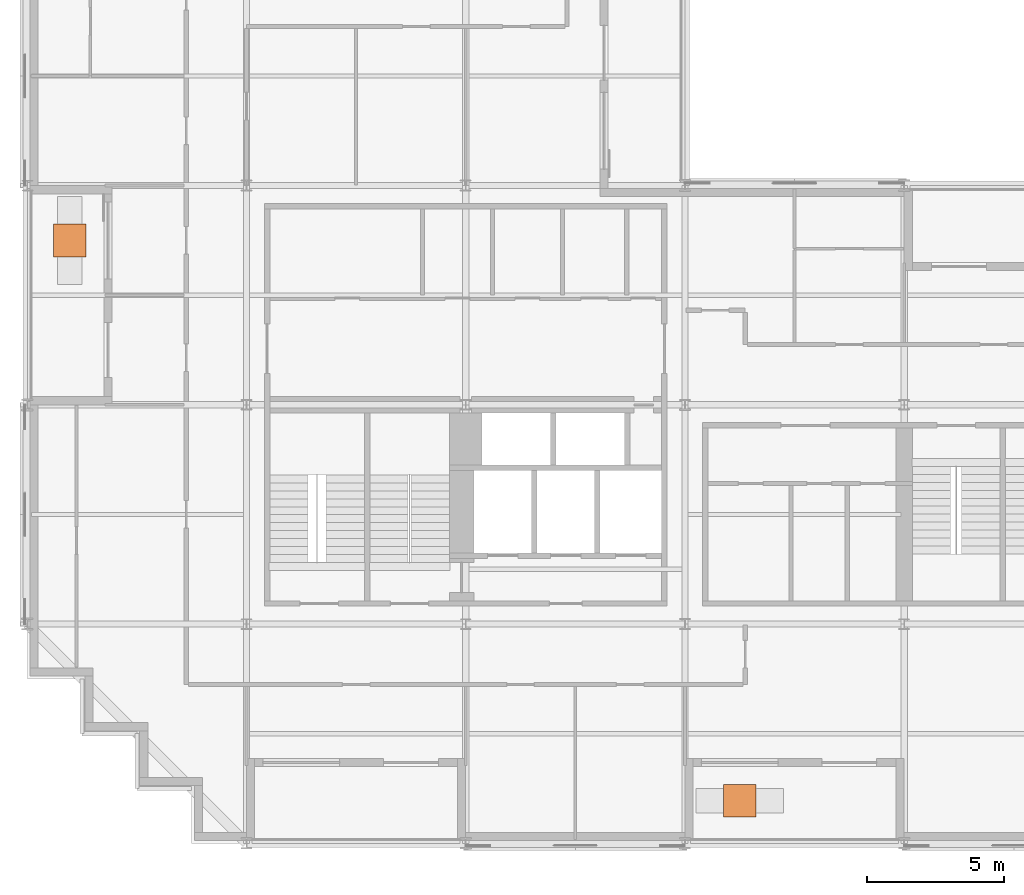
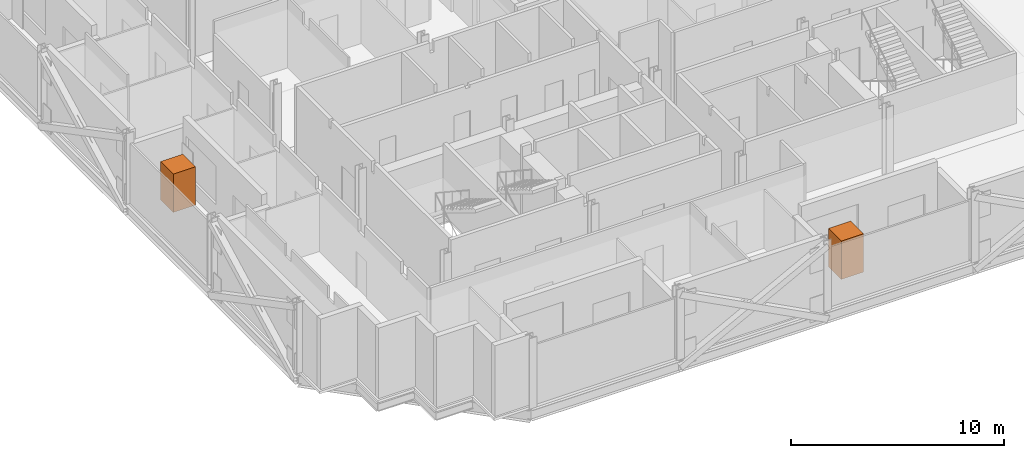
# One storey, part 13 of 13: 2 geographic elements.
"""IFC4 building model written with IfcOpenShell, lengths in metres."""

from ifc_helpers import new_model, si_unit, direction, frame, origin, origin_2d, place, context, subcontext, project, spatial, rectangle, extrude, material, type_object, element, save


model = new_model("IFC4")

# Units and contexts
model_context = context("Model", 3, precision=1e-05, world=origin(), true_north=direction((0.0, 1.0)))
body_context = subcontext(model_context, "Body", "Model", "MODEL_VIEW")
ifc_project = project(units=[si_unit("LENGTHUNIT", "METRE"), si_unit("AREAUNIT", "SQUARE_METRE"), si_unit("VOLUMEUNIT", "CUBIC_METRE"), si_unit("PLANEANGLEUNIT", "RADIAN"), si_unit("MASSUNIT", "GRAM", prefix="KILO")], contexts=[model_context])

# Site, building, storey
site_placement = place(None, origin())
site = spatial("IfcSite", under=ifc_project, at=site_placement, CompositionType="ELEMENT")
building_placement = place(site_placement, origin())
building = spatial("IfcBuilding", under=site, at=building_placement, Name="Immortelle Media Tower", CompositionType="ELEMENT")
storey_placement = place(building_placement, frame((0.0, 0.0, 170.39990234375)))
storey = spatial("IfcBuildingStorey", under=building, at=storey_placement, Name="L35", CompositionType="ELEMENT", Elevation=170.39990234375)

# Geographic elements
ifc_material = material(Name="Tree canopy foliage")
geographic_element_type = type_object("IfcGeographicElementType", Name="Tree", PredefinedType="USERDEFINED", material=ifc_material)
for number, where, z_axis, x_axis, name in (
    (1, (26.0, 1.550048828125, 0.60009765625), (0.0, 0.0, 1.0), (1.0, 0.0, 0.0), "Tree L35 S2"),
    (2, (1.550048828125, 22.0, 0.60009765625), (0.0, 0.0, 1.0), (1.0, 0.0, 0.0), "Tree L35 W2"),
):
    element("IfcGeographicElement", number, at=place(storey_placement, frame(where, z_axis=z_axis, x_axis=x_axis)), inside=storey, type_object=geographic_element_type, Name=name, ObjectType="Tree", PredefinedType="USERDEFINED", context=body_context, shape_type="SweptSolid", body=[
        extrude(rectangle(XDim=1.199951171875, YDim=1.199951171875, at=origin_2d()), origin(), (0.0, 0.0, 1.0), 2.199951171875),
    ])

save(model, "model.ifc")
